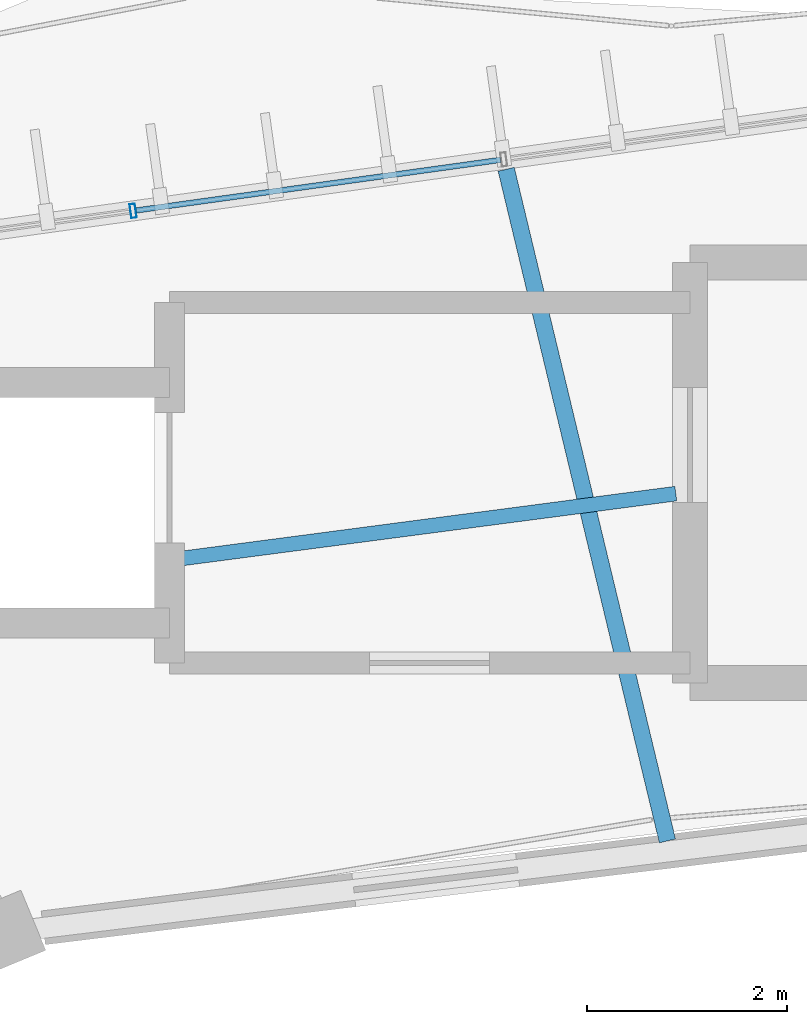
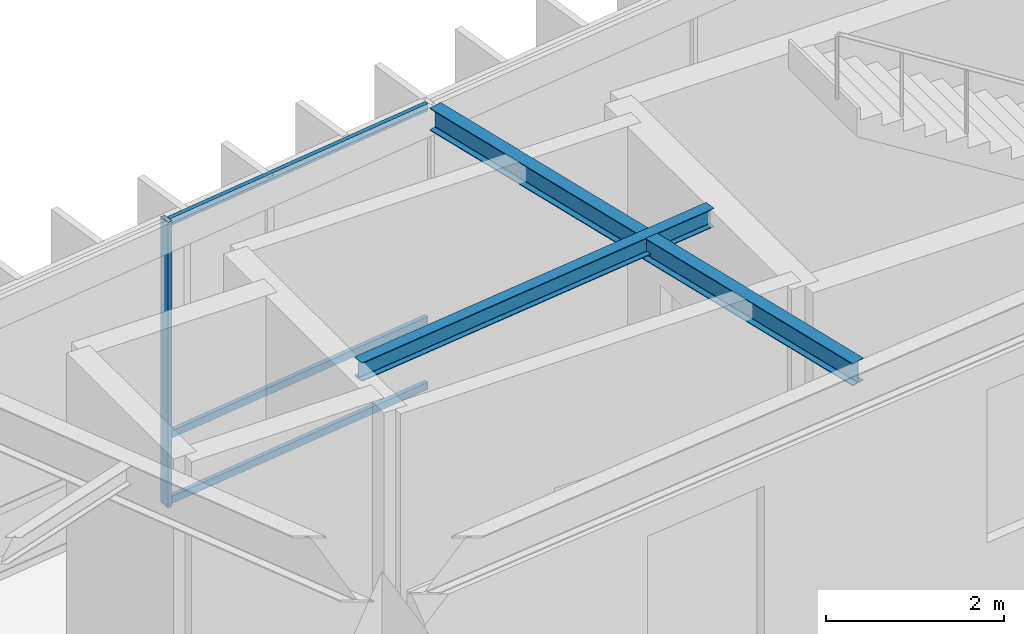
# One storey, part 65 of 138: 4 members, 2 beams, 1 element without a shape of its own.
"""IFC4 building model written with IfcOpenShell, lengths in metres."""

from ifc_helpers import new_model, si_unit, direction, frame, origin, origin_2d, place, context, subcontext, project, spatial, hollow_rectangle, i_section, extrude, material, material_profile, profile_set, type_object, element, aggregate, save


model = new_model("IFC4")

# Units and contexts
model_context = context("Model", 3, precision=1e-05, world=origin(), true_north=direction((0.0, 1.0)))
body_context = subcontext(model_context, "Body", "Model", "MODEL_VIEW")
ifc_project = project(units=[si_unit("LENGTHUNIT", "METRE"), si_unit("AREAUNIT", "SQUARE_METRE"), si_unit("VOLUMEUNIT", "CUBIC_METRE"), si_unit("PLANEANGLEUNIT", "RADIAN"), si_unit("MASSUNIT", "GRAM", prefix="KILO"), si_unit("THERMODYNAMICTEMPERATUREUNIT", "KELVIN"), si_unit("POWERUNIT", "WATT")], contexts=[model_context])

# Site, building, storey
site_placement = place(None, origin())
site = spatial("IfcSite", under=ifc_project, at=site_placement, CompositionType="ELEMENT")
building_placement = place(site_placement, origin())
building = spatial("IfcBuilding", under=site, at=building_placement, Name="Darbajah Civic Hall", CompositionType="ELEMENT")
storey_placement = place(building_placement, frame((0.0, 0.0, 9.60009765625)))
storey = spatial("IfcBuildingStorey", under=building, at=storey_placement, Name="L02", CompositionType="ELEMENT", Elevation=9.60009765625)

# Curtain wall, members
ifc_material_1 = material(Name="Anodised Bronze Aluminium and Low-E Glazing", Category="aluminium")
curtain_wall_type = type_object("IfcCurtainWallType", Name="Unitised Curtain Wall CW-42 15000x3900", PredefinedType="USERDEFINED", material=ifc_material_1)
curtain_wall_placement = place(storey_placement, origin())
curtain_wall = element("IfcCurtainWall", 1, at=curtain_wall_placement, inside=storey, type_object=curtain_wall_type, Name="L02 unitised curtain wall CW-V1O-L02-05", ObjectType="UNITISED CURTAIN WALL", PredefinedType="USERDEFINED")
ifc_material_2 = material(Name="Anodised Bronze Aluminium", Category="aluminium")
ifc_material_profile_1 = material_profile(ifc_material_2, hollow_rectangle(XDim=0.054931640625, YDim=0.139892578125, WallThickness=0.003173828125, at=origin_2d()), Name="ALU MULLION 55x140")
ifc_profile_set_1 = profile_set([ifc_material_profile_1], Name="Anodised Bronze Aluminium")
member_type_1 = type_object("IfcMemberType", Name="ALU MULLION 55x140", PredefinedType="MULLION", material=ifc_profile_set_1)
member_1_placement = place(storey_placement, frame((73.63623046875, 117.6171875, 0.0), z_axis=(0.0, 0.0, 1.0), x_axis=(-0.990485459553, -0.137617420457, 0.0)))
member_1 = element("IfcMember", 2, at=member_1_placement, type_object=member_type_1, Name="CW-V1O-L02-05 mullion 4", PredefinedType="MULLION", context=body_context, shape_type="SweptSolid", body=[
    extrude(hollow_rectangle(XDim=0.054931640625, YDim=0.139892578125, WallThickness=0.003173828125, at=origin_2d()), origin(), (0.0, 0.0, 1.0), 3.919921875),
])
ifc_material_profile_2 = material_profile(ifc_material_2, hollow_rectangle(XDim=0.054931640625, YDim=0.10009765625, WallThickness=0.0029296875, at=origin_2d()), Name="ALU TRANSOM 55x100")
ifc_profile_set_2 = profile_set([ifc_material_profile_2], Name="Anodised Bronze Aluminium")
member_type_2 = type_object("IfcMemberType", Name="ALU TRANSOM 55x100", PredefinedType="USERDEFINED", material=ifc_profile_set_2)
member_2_placement = place(storey_placement, frame((77.30859375, 118.127197265625, 0.0498046875), z_axis=(-0.990490764459, -0.137579233615, 0.0), x_axis=(0.137579233615, -0.990490764459, 0.0)))
member_2 = element("IfcMember", 3, at=member_2_placement, type_object=member_type_2, Name="CW-V1O-L02-05 transom 3.1", ObjectType="TRANSOM", PredefinedType="USERDEFINED", context=body_context, shape_type="SweptSolid", body=[
    extrude(hollow_rectangle(XDim=0.054931640625, YDim=0.10009765625, WallThickness=0.0029296875, at=origin_2d()), origin(), (0.0, 0.0, 1.0), 3.675048828125),
])
member_3_placement = place(storey_placement, frame((77.30859375, 118.127197265625, 0.949951171875), z_axis=(-0.990490764459, -0.137579233615, 0.0), x_axis=(0.137579233615, -0.990490764459, 0.0)))
member_3 = element("IfcMember", 4, at=member_3_placement, type_object=member_type_2, Name="CW-V1O-L02-05 transom 3.2", ObjectType="TRANSOM", PredefinedType="USERDEFINED", context=body_context, shape_type="SweptSolid", body=[
    extrude(hollow_rectangle(XDim=0.054931640625, YDim=0.10009765625, WallThickness=0.0029296875, at=origin_2d()), origin(), (0.0, 0.0, 1.0), 3.675048828125),
])
member_4_placement = place(storey_placement, frame((77.30859375, 118.127197265625, 3.869873046875), z_axis=(-0.990490764459, -0.137579233615, 0.0), x_axis=(0.137579233615, -0.990490764459, 0.0)))
member_4 = element("IfcMember", 5, at=member_4_placement, type_object=member_type_2, Name="CW-V1O-L02-05 transom 3.3", ObjectType="TRANSOM", PredefinedType="USERDEFINED", context=body_context, shape_type="SweptSolid", body=[
    extrude(hollow_rectangle(XDim=0.054931640625, YDim=0.10009765625, WallThickness=0.0029296875, at=origin_2d()), origin(), (0.0, 0.0, 1.0), 3.675048828125),
])
aggregate(curtain_wall, [member_1, member_2, member_3, member_4])

# Beams
ifc_material_3 = material(Name="Steel S355JR", Category="steel")
ifc_material_profile_3 = material_profile(ifc_material_3, i_section(OverallWidth=0.146484375, OverallDepth=0.256103515625, WebThickness=0.00634765625, FlangeThickness=0.010986328125, FilletRadius=0.007568359375, at=origin_2d()), Name="UB 254x146x37")
ifc_profile_set_3 = profile_set([ifc_material_profile_3], Name="Steel S355JR")
beam_type_1 = type_object("IfcBeamType", Name="UB 254x146x37", PredefinedType="JOIST", material=ifc_profile_set_3)
beam_1_placement = place(storey_placement, frame((79.06005859375, 114.791015625, 3.7919921875), z_axis=(-0.991500932095, -0.130099583607, 0.0), x_axis=(0.130099583607, -0.991500932095, 0.0)))
element("IfcBeam", 6, at=beam_1_placement, inside=storey, type_object=beam_type_1, Name="L02 beam SJ-254", PredefinedType="JOIST", context=body_context, shape_type="SweptSolid", body=[
    extrude(i_section(OverallWidth=0.146484375, OverallDepth=0.256103515625, WebThickness=0.00634765625, FlangeThickness=0.010986328125, FilletRadius=0.007568359375, at=origin_2d()), origin(), (0.0, 0.0, 1.0), 4.982177734375),
])
ifc_material_profile_4 = material_profile(ifc_material_3, i_section(OverallWidth=0.165771484375, OverallDepth=0.306640625, WebThickness=0.006591796875, FlangeThickness=0.01171875, FilletRadius=0.0087890625, at=origin_2d()), Name="UB 305x165x46")
ifc_profile_set_4 = profile_set([ifc_material_profile_4], Name="Steel S355JR")
beam_type_2 = type_object("IfcBeamType", Name="UB 305x165x46", PredefinedType="JOIST", material=ifc_profile_set_4)
beam_2_placement = place(storey_placement, frame((78.976318359375, 111.320068359375, 3.7666015625), z_axis=(-0.233446518106, 0.972369643286, 0.0), x_axis=(-0.972369643286, -0.233446518106, 0.0)))
element("IfcBeam", 7, at=beam_2_placement, inside=storey, type_object=beam_type_2, Name="L02 beam SJ-305", PredefinedType="JOIST", context=body_context, shape_type="SweptSolid", body=[
    extrude(i_section(OverallWidth=0.165771484375, OverallDepth=0.306640625, WebThickness=0.006591796875, FlangeThickness=0.01171875, FilletRadius=0.0087890625, at=origin_2d()), origin(), (0.0, 0.0, 1.0), 6.9033203125),
])

save(model, "model.ifc")
